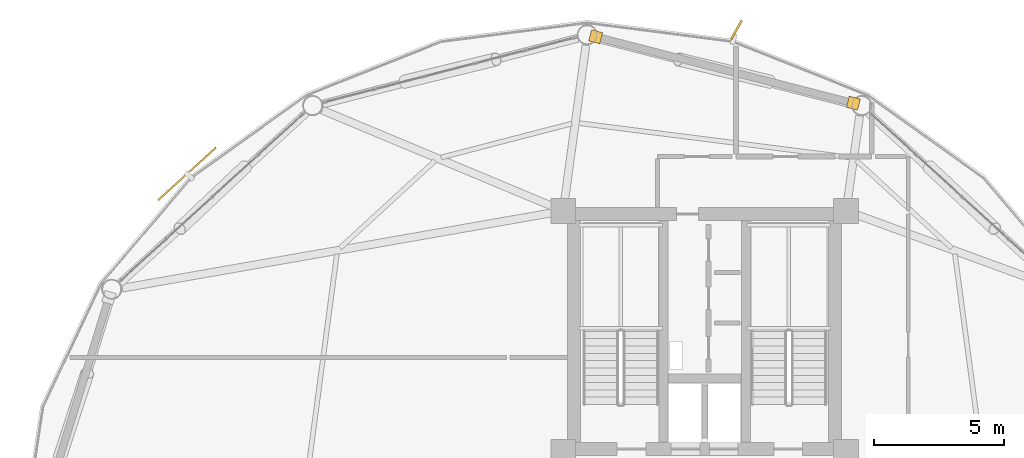
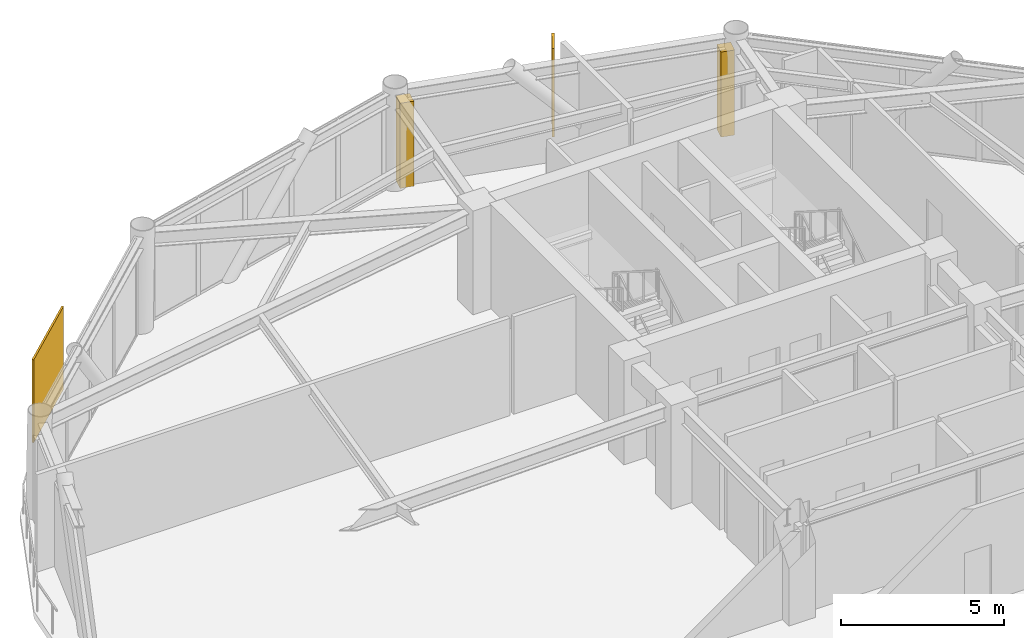
# One storey, part 25 of 25: 2 coverings, 2 shading devices.
"""IFC4 building model written with IfcOpenShell, lengths in metres."""

from ifc_helpers import new_model, si_unit, direction, frame, origin, origin_2d, place, context, subcontext, project, spatial, rectangle, extrude, source, transform, mapped, material, layer, layer_set, type_object, type_shapes, element, save


model = new_model("IFC4")

# Units and contexts
model_context = context("Model", 3, precision=1e-05, world=origin(), true_north=direction((0.0, 1.0)))
body_context = subcontext(model_context, "Body", "Model", "MODEL_VIEW")
ifc_project = project(units=[si_unit("LENGTHUNIT", "METRE"), si_unit("AREAUNIT", "SQUARE_METRE"), si_unit("VOLUMEUNIT", "CUBIC_METRE"), si_unit("PLANEANGLEUNIT", "RADIAN"), si_unit("MASSUNIT", "GRAM", prefix="KILO")], contexts=[model_context])

# Site, building, storey
site_placement = place(None, origin())
site = spatial("IfcSite", under=ifc_project, at=site_placement, CompositionType="ELEMENT")
building_placement = place(site_placement, origin())
building = spatial("IfcBuilding", under=site, at=building_placement, Name="Varnakorn Sky Granary", CompositionType="ELEMENT")
storey_placement = place(building_placement, frame((0.0, 0.0, 126.60009765625)))
storey = spatial("IfcBuildingStorey", under=building, at=storey_placement, Name="L31", CompositionType="ELEMENT", Elevation=126.60009765625)

# Shading devices
ifc_material = material(Name="Anodised Bronze Aluminium Alloy 6063-T6", Category="aluminium")
shading_device_type_1 = type_object("IfcShadingDeviceType", Name="SH-SCR-02", PredefinedType="USERDEFINED", material=ifc_material)
shared_shape_1 = source(origin(), body_context, "Body", "SweptSolid", [
    extrude(rectangle(XDim=3.0, YDim=0.06494140625, at=origin_2d()), origin(), (0.0, 0.0, 1.0), 3.10009765625),
])
type_shapes(shading_device_type_1, [shared_shape_1])
shading_device_1_placement = place(storey_placement, frame((-16.83251953125, 14.038330078125, -0.0400390625), z_axis=(0.0, 0.0, 1.0), x_axis=(-0.73995111995, -0.672660642586, 0.0)))
element("IfcShadingDevice", 1, at=shading_device_1_placement, inside=storey, type_object=shading_device_type_1, Name="Perforated Bronze Solar Screen Panel SCREEN L31-05", ObjectType="SCREEN", PredefinedType="USERDEFINED", context=body_context, shape_type="MappedRepresentation", body=[
    mapped(shared_shape_1, transform((0.0, 0.0, 0.0), x_axis=(1.0, 0.0, 0.0), y_axis=(0.0, 1.0, 0.0), z_axis=(0.0, 0.0, 1.0), scale=1.0)),
])
shading_device_type_2 = type_object("IfcShadingDeviceType", Name="SH-FIN-02", PredefinedType="USERDEFINED", material=ifc_material)
shared_shape_2 = source(origin(), body_context, "Body", "SweptSolid", [
    extrude(rectangle(XDim=0.0849609375, YDim=0.820068359375, at=origin_2d()), origin(), (0.0, 0.0, 1.0), 3.300048828125),
])
type_shapes(shading_device_type_2, [shared_shape_2])
shading_device_2_placement = place(storey_placement, frame((4.2197265625, 19.555908203125, -0.0400390625), z_axis=(0.0, 0.0, 1.0), x_axis=(-0.867926194244, 0.496693186329, 0.0)))
element("IfcShadingDevice", 2, at=shading_device_2_placement, inside=storey, type_object=shading_device_type_2, Name="Bronze Solar-Tracking Vertical Blade FIN L31-03", ObjectType="FIN", PredefinedType="USERDEFINED", context=body_context, shape_type="MappedRepresentation", body=[
    mapped(shared_shape_2, transform((0.0, 0.0, 0.0), x_axis=(1.0, 0.0, 0.0), y_axis=(0.0, 1.0, 0.0), z_axis=(0.0, 0.0, 1.0), scale=1.0)),
])

# Coverings
ifc_layer = layer(ifc_material, 0.050048828125, Name="Anodised Bronze Aluminium Alloy 6063-T6")
ifc_layer_set = layer_set([ifc_layer], Name="Anodised Bronze Aluminium Alloy 6063-T6")
covering_type = type_object("IfcCoveringType", Name="CV-CLAD-50", PredefinedType="CLADDING", material=ifc_layer_set)
shared_shape_3 = source(origin(), body_context, "Body", "SweptSolid", [
    extrude(rectangle(XDim=0.43994140625, YDim=0.43994140625, at=origin_2d()), origin(), (0.0, 0.0, 1.0), 3.179931640625),
])
type_shapes(covering_type, [shared_shape_3])
for number, where, z_axis, x_axis, name in (
    (3, (-1.174560546875, 19.2900390625, -0.02001953125), (0.0, 0.0, 1.0), (0.96836576948, -0.249535040626, 0.0), "Bronze Corner Pilaster Closure L31-P03-A"),
    (4, (8.698486328125, 16.745361328125, -0.02001953125), (0.0, 0.0, 1.0), (0.96836576948, -0.249535040626, 0.0), "Bronze Corner Pilaster Closure L31-P03-B"),
):
    element("IfcCovering", number, at=place(storey_placement, frame(where, z_axis=z_axis, x_axis=x_axis)), inside=storey, type_object=covering_type, Name=name, PredefinedType="CLADDING", context=body_context, shape_type="MappedRepresentation", body=[
        mapped(shared_shape_3, transform((0.0, 0.0, 0.0), x_axis=(1.0, 0.0, 0.0), y_axis=(0.0, 1.0, 0.0), z_axis=(0.0, 0.0, 1.0), scale=1.0)),
    ])

save(model, "model.ifc")
